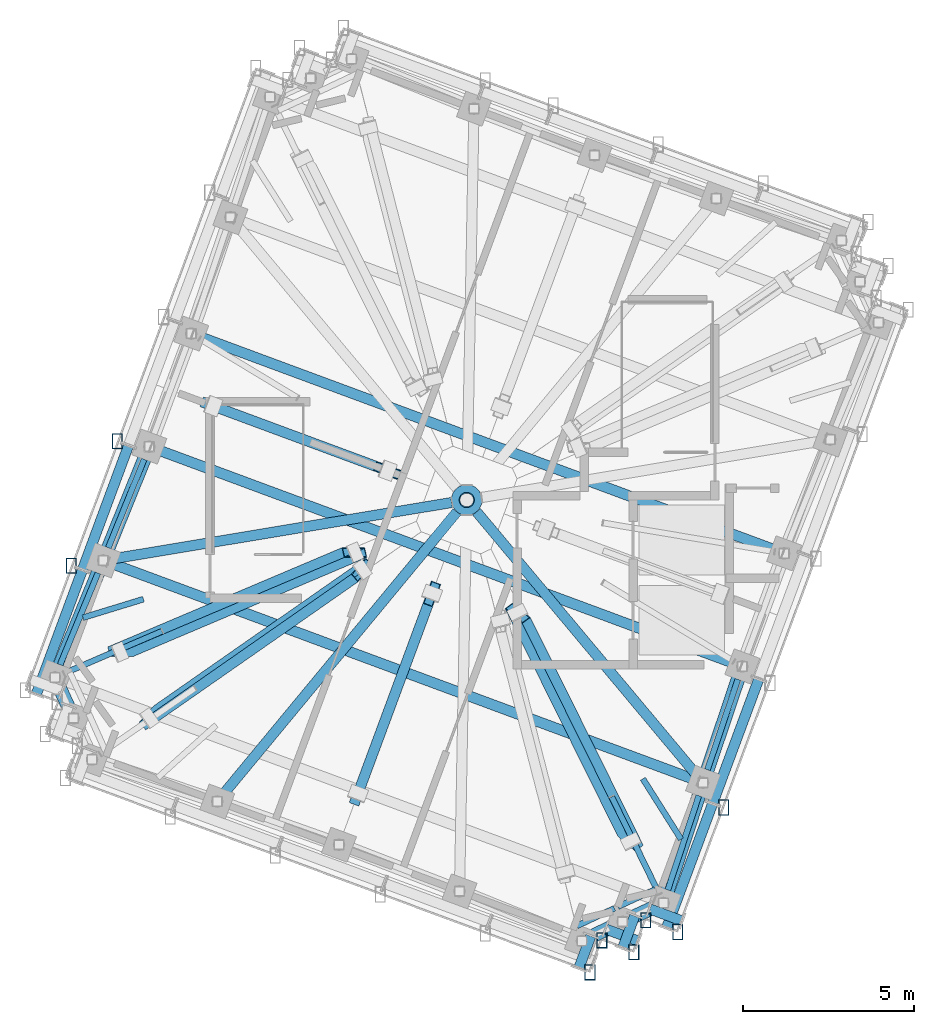
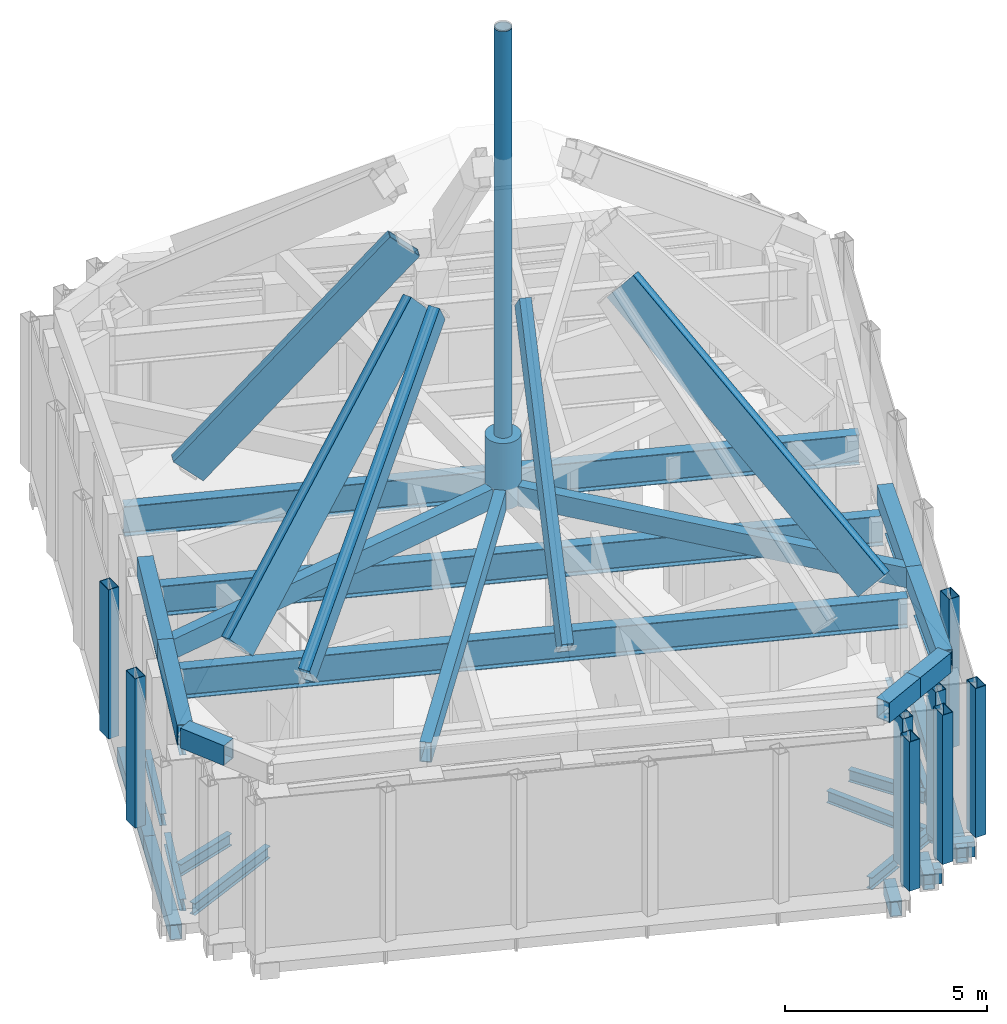
# One storey, part 2 of 14: 27 beams, 23 members, 13 elements without a shape of their own.
"""IFC4 building model written with IfcOpenShell, lengths in metres."""

from ifc_helpers import new_model, si_unit, direction, frame, origin, origin_2d, place, context, subcontext, project, spatial, hollow_rectangle, circle, hollow_circle, i_section, extrude, material, material_profile, profile_set, type_object, element, aggregate, save


model = new_model("IFC4")

# Units and contexts
model_context = context("Model", 3, precision=1e-05, world=origin(), true_north=direction((0.0, 1.0)))
body_context = subcontext(model_context, "Body", "Model", "MODEL_VIEW")
ifc_project = project(units=[si_unit("LENGTHUNIT", "METRE"), si_unit("AREAUNIT", "SQUARE_METRE"), si_unit("VOLUMEUNIT", "CUBIC_METRE"), si_unit("PLANEANGLEUNIT", "RADIAN"), si_unit("MASSUNIT", "GRAM", prefix="KILO")], contexts=[model_context])

# Site, building, storey
site_placement = place(None, origin())
site = spatial("IfcSite", under=ifc_project, at=site_placement, CompositionType="ELEMENT")
building_placement = place(site_placement, origin())
building = spatial("IfcBuilding", under=site, at=building_placement, Name="Cantera Rosa Tower", CompositionType="ELEMENT")
storey_placement = place(building_placement, frame((0.0, 0.0, 374.199951171875)))
storey = spatial("IfcBuildingStorey", under=building, at=storey_placement, Name="L84", CompositionType="ELEMENT", Elevation=374.199951171875)

# Curtain wall, member
ifc_material_1 = material(Name="Aluminium frame with clear glass", Category="aluminium")
curtain_wall_type = type_object("IfcCurtainWallType", Name="CW4 CROWN GLAZING", PredefinedType="NOTDEFINED", material=ifc_material_1)
curtain_wall_1_placement = place(storey_placement, origin())
curtain_wall_1 = element("IfcCurtainWall", 1, at=curtain_wall_1_placement, inside=storey, type_object=curtain_wall_type, Name="CW4 L84-13", PredefinedType="NOTDEFINED")
ifc_material_2 = material(Name="Steel S355J2 (EN 10025-2)", Category="steel")
ifc_material_profile_1 = material_profile(ifc_material_2, hollow_rectangle(XDim=0.300048828125, YDim=0.449951171875, WallThickness=0.01611328125, at=origin_2d()), Name="CROWN FRAME MULLION RHS 300x450x16")
ifc_profile_set_1 = profile_set([ifc_material_profile_1], Name="Steel S355J2 (EN 10025-2)")
member_type_1 = type_object("IfcMemberType", Name="CROWN FRAME MULLION RHS 300x450x16", PredefinedType="MULLION", material=ifc_profile_set_1)
member_1_placement = place(storey_placement, frame((-10.240234375, 1.720458984375, 0.0), z_axis=(0.0, 0.0, 1.0), x_axis=(1.0, 0.0, 0.0)))
member_1 = element("IfcMember", 2, at=member_1_placement, type_object=member_type_1, Name="CROWN FRAME rib L84-13", PredefinedType="MULLION", context=body_context, shape_type="SweptSolid", body=[
    extrude(hollow_rectangle(XDim=0.300048828125, YDim=0.449951171875, WallThickness=0.01611328125, at=origin_2d()), origin(), (0.0, 0.0, 1.0), 4.5),
])

curtain_wall_2_placement = place(storey_placement, origin())
curtain_wall_2 = element("IfcCurtainWall", 3, at=curtain_wall_2_placement, inside=storey, type_object=curtain_wall_type, Name="CW4 L84-14", PredefinedType="NOTDEFINED")
member_2_placement = place(storey_placement, frame((-11.592041015625, -1.927001953125, 0.0), z_axis=(0.0, 0.0, 1.0), x_axis=(1.0, 0.0, 0.0)))
member_2 = element("IfcMember", 4, at=member_2_placement, type_object=member_type_1, Name="CROWN FRAME rib L84-14", PredefinedType="MULLION", context=body_context, shape_type="SweptSolid", body=[
    extrude(hollow_rectangle(XDim=0.300048828125, YDim=0.449951171875, WallThickness=0.01611328125, at=origin_2d()), origin(), (0.0, 0.0, 1.0), 4.5),
])

curtain_wall_3_placement = place(storey_placement, origin())
curtain_wall_3 = element("IfcCurtainWall", 5, at=curtain_wall_3_placement, inside=storey, type_object=curtain_wall_type, Name="CW4 L84-24", PredefinedType="NOTDEFINED")
member_3_placement = place(storey_placement, frame((3.61474609375, -13.84375, 0.0), z_axis=(0.0, 0.0, 1.0), x_axis=(1.0, 0.0, 0.0)))
member_3 = element("IfcMember", 6, at=member_3_placement, type_object=member_type_1, Name="CROWN FRAME rib L84-24", PredefinedType="MULLION", context=body_context, shape_type="SweptSolid", body=[
    extrude(hollow_rectangle(XDim=0.300048828125, YDim=0.449951171875, WallThickness=0.01611328125, at=origin_2d()), origin(), (0.0, 0.0, 1.0), 4.5),
])

curtain_wall_4_placement = place(storey_placement, origin())
curtain_wall_4 = element("IfcCurtainWall", 7, at=curtain_wall_4_placement, inside=storey, type_object=curtain_wall_type, Name="CW4 L84-25", PredefinedType="NOTDEFINED")
member_4_placement = place(storey_placement, frame((3.96240234375, -12.906005859375, 0.0), z_axis=(0.0, 0.0, 1.0), x_axis=(1.0, 0.0, 0.0)))
member_4 = element("IfcMember", 8, at=member_4_placement, type_object=member_type_1, Name="CROWN FRAME rib L84-25", PredefinedType="MULLION", context=body_context, shape_type="SweptSolid", body=[
    extrude(hollow_rectangle(XDim=0.300048828125, YDim=0.449951171875, WallThickness=0.01611328125, at=origin_2d()), origin(), (0.0, 0.0, 1.0), 4.5),
])

curtain_wall_5_placement = place(storey_placement, origin())
curtain_wall_5 = element("IfcCurtainWall", 9, at=curtain_wall_5_placement, inside=storey, type_object=curtain_wall_type, Name="CW4 L84-26", PredefinedType="NOTDEFINED")
member_5_placement = place(storey_placement, frame((4.89990234375, -13.25341796875, 0.0), z_axis=(0.0, 0.0, 1.0), x_axis=(1.0, 0.0, 0.0)))
member_5 = element("IfcMember", 10, at=member_5_placement, type_object=member_type_1, Name="CROWN FRAME rib L84-26", PredefinedType="MULLION", context=body_context, shape_type="SweptSolid", body=[
    extrude(hollow_rectangle(XDim=0.300048828125, YDim=0.449951171875, WallThickness=0.01611328125, at=origin_2d()), origin(), (0.0, 0.0, 1.0), 4.5),
])

curtain_wall_6_placement = place(storey_placement, origin())
curtain_wall_6 = element("IfcCurtainWall", 11, at=curtain_wall_6_placement, inside=storey, type_object=curtain_wall_type, Name="CW4 L84-27", PredefinedType="NOTDEFINED")
member_6_placement = place(storey_placement, frame((5.24755859375, -12.31591796875, 0.0), z_axis=(0.0, 0.0, 1.0), x_axis=(1.0, 0.0, 0.0)))
member_6 = element("IfcMember", 12, at=member_6_placement, type_object=member_type_1, Name="CROWN FRAME rib L84-27", PredefinedType="MULLION", context=body_context, shape_type="SweptSolid", body=[
    extrude(hollow_rectangle(XDim=0.300048828125, YDim=0.449951171875, WallThickness=0.01611328125, at=origin_2d()), origin(), (0.0, 0.0, 1.0), 4.5),
])

curtain_wall_7_placement = place(storey_placement, origin())
curtain_wall_7 = element("IfcCurtainWall", 13, at=curtain_wall_7_placement, inside=storey, type_object=curtain_wall_type, Name="CW4 L84-28", PredefinedType="NOTDEFINED")
member_7_placement = place(storey_placement, frame((6.18505859375, -12.663330078125, 0.0), z_axis=(0.0, 0.0, 1.0), x_axis=(1.0, 0.0, 0.0)))
member_7 = element("IfcMember", 14, at=member_7_placement, type_object=member_type_1, Name="CROWN FRAME rib L84-28", PredefinedType="MULLION", context=body_context, shape_type="SweptSolid", body=[
    extrude(hollow_rectangle(XDim=0.300048828125, YDim=0.449951171875, WallThickness=0.01611328125, at=origin_2d()), origin(), (0.0, 0.0, 1.0), 4.5),
])

curtain_wall_8_placement = place(storey_placement, origin())
curtain_wall_8 = element("IfcCurtainWall", 15, at=curtain_wall_8_placement, inside=storey, type_object=curtain_wall_type, Name="CW4 L84-29", PredefinedType="NOTDEFINED")
member_8_placement = place(storey_placement, frame((7.536865234375, -9.015625, 0.0), z_axis=(0.0, 0.0, 1.0), x_axis=(1.0, 0.0, 0.0)))
member_8 = element("IfcMember", 16, at=member_8_placement, type_object=member_type_1, Name="CROWN FRAME rib L84-29", PredefinedType="MULLION", context=body_context, shape_type="SweptSolid", body=[
    extrude(hollow_rectangle(XDim=0.300048828125, YDim=0.449951171875, WallThickness=0.01611328125, at=origin_2d()), origin(), (0.0, 0.0, 1.0), 4.5),
])

# Member
ifc_material_3 = material(Name="Steel S355J2 (EN 10025-2)", Category="steel")
ifc_material_profile_2 = material_profile(ifc_material_3, hollow_rectangle(XDim=0.300048828125, YDim=0.449951171875, WallThickness=0.01611328125, at=origin_2d()), Name="CROWN FRAME PURLIN RHS 300x450x16")
ifc_profile_set_2 = profile_set([ifc_material_profile_2], Name="Steel S355J2 (EN 10025-2)")
member_type_2 = type_object("IfcMemberType", Name="CROWN FRAME PURLIN RHS 300x450x16", PredefinedType="PURLIN", material=ifc_profile_set_2)
member_9_placement = place(storey_placement, frame((-9.912109375, 1.598876953125, -0.675048828125), z_axis=(-0.347441084572, -0.937701814412, 0.0), x_axis=(0.937701814412, -0.347441084572, 0.0)))
member_9 = element("IfcMember", 17, at=member_9_placement, type_object=member_type_2, Name="CROWN FRAME purlin L84-13", PredefinedType="PURLIN", context=body_context, shape_type="SweptSolid", body=[
    extrude(hollow_rectangle(XDim=0.300048828125, YDim=0.449951171875, WallThickness=0.01611328125, at=origin_2d()), origin(), (0.0, 0.0, 1.0), 3.89013671875),
])

aggregate(curtain_wall_1, [member_1, member_9])

member_10_placement = place(storey_placement, frame((-11.263671875, -2.048828125, -0.675048828125), z_axis=(-0.347516717491, -0.937673787126, 0.0), x_axis=(0.937673787126, -0.347516717491, 0.0)))
member_10 = element("IfcMember", 18, at=member_10_placement, type_object=member_type_2, Name="CROWN FRAME purlin L84-14", PredefinedType="PURLIN", context=body_context, shape_type="SweptSolid", body=[
    extrude(hollow_rectangle(XDim=0.300048828125, YDim=0.449951171875, WallThickness=0.01611328125, at=origin_2d()), origin(), (0.0, 0.0, 1.0), 3.889892578125),
])

aggregate(curtain_wall_2, [member_2, member_10])

member_11_placement = place(storey_placement, frame((3.28662109375, -13.72216796875, -0.675048828125), z_axis=(0.347401818267, 0.937716362588, 0.0), x_axis=(-0.937716362588, 0.347401818267, 0.0)))
member_11 = element("IfcMember", 19, at=member_11_placement, type_object=member_type_2, Name="CROWN FRAME purlin L84-24", PredefinedType="PURLIN", context=body_context, shape_type="SweptSolid", body=[
    extrude(hollow_rectangle(XDim=0.300048828125, YDim=0.449951171875, WallThickness=0.01611328125, at=origin_2d()), origin(), (0.0, 0.0, 1.0), 1.0),
])

aggregate(curtain_wall_3, [member_3, member_11])

member_12_placement = place(storey_placement, frame((4.083984375, -12.577880859375, -0.675048828125), z_axis=(0.937686888491, -0.347481365188, 0.0), x_axis=(0.347481365188, 0.937686888491, 0.0)))
member_12 = element("IfcMember", 20, at=member_12_placement, type_object=member_type_2, Name="CROWN FRAME purlin L84-25", PredefinedType="PURLIN", context=body_context, shape_type="SweptSolid", body=[
    extrude(hollow_rectangle(XDim=0.300048828125, YDim=0.449951171875, WallThickness=0.01611328125, at=origin_2d()), origin(), (0.0, 0.0, 1.0), 0.999755859375),
])

aggregate(curtain_wall_4, [member_4, member_12])

member_13_placement = place(storey_placement, frame((4.57177734375, -13.1318359375, -0.675048828125), z_axis=(0.347481365188, 0.937686888491, 0.0), x_axis=(-0.937686888491, 0.347481365188, 0.0)))
member_13 = element("IfcMember", 21, at=member_13_placement, type_object=member_type_2, Name="CROWN FRAME purlin L84-26", PredefinedType="PURLIN", context=body_context, shape_type="SweptSolid", body=[
    extrude(hollow_rectangle(XDim=0.300048828125, YDim=0.449951171875, WallThickness=0.01611328125, at=origin_2d()), origin(), (0.0, 0.0, 1.0), 0.999755859375),
])

aggregate(curtain_wall_5, [member_5, member_13])

member_14_placement = place(storey_placement, frame((5.369140625, -11.987548828125, -0.675048828125), z_axis=(0.937636814806, -0.347616460371, 0.0), x_axis=(0.347616460371, 0.937636814806, 0.0)))
member_14 = element("IfcMember", 22, at=member_14_placement, type_object=member_type_2, Name="CROWN FRAME purlin L84-27", PredefinedType="PURLIN", context=body_context, shape_type="SweptSolid", body=[
    extrude(hollow_rectangle(XDim=0.300048828125, YDim=0.449951171875, WallThickness=0.01611328125, at=origin_2d()), origin(), (0.0, 0.0, 1.0), 1.0),
])

aggregate(curtain_wall_6, [member_6, member_14])

member_15_placement = place(storey_placement, frame((5.85693359375, -12.541748046875, -0.675048828125), z_axis=(0.347496266948, 0.937681366167, 0.0), x_axis=(-0.937681366167, 0.347496266948, 0.0)))
member_15 = element("IfcMember", 23, at=member_15_placement, type_object=member_type_2, Name="CROWN FRAME purlin L84-28", PredefinedType="PURLIN", context=body_context, shape_type="SweptSolid", body=[
    extrude(hollow_rectangle(XDim=0.300048828125, YDim=0.449951171875, WallThickness=0.01611328125, at=origin_2d()), origin(), (0.0, 0.0, 1.0), 3.89013671875),
])

aggregate(curtain_wall_7, [member_7, member_15])

member_16_placement = place(storey_placement, frame((7.208740234375, -8.89404296875, -0.675048828125), z_axis=(0.347461532759, 0.937694237613, 0.0), x_axis=(-0.937694237613, 0.347461532759, 0.0)))
member_16 = element("IfcMember", 24, at=member_16_placement, type_object=member_type_2, Name="CROWN FRAME purlin L84-29", PredefinedType="PURLIN", context=body_context, shape_type="SweptSolid", body=[
    extrude(hollow_rectangle(XDim=0.300048828125, YDim=0.449951171875, WallThickness=0.01611328125, at=origin_2d()), origin(), (0.0, 0.0, 1.0), 3.889892578125),
])

aggregate(curtain_wall_8, [member_8, member_16])

# Curtain wall, member
curtain_wall_9_placement = place(storey_placement, origin())
curtain_wall_9 = element("IfcCurtainWall", 25, at=curtain_wall_9_placement, inside=storey, type_object=curtain_wall_type, Name="CW4 L84-01", PredefinedType="NOTDEFINED")
ifc_material_4 = material(Name="Steel S355J2 (EN 10025-2)", Category="steel")
ifc_material_profile_3 = material_profile(ifc_material_4, hollow_rectangle(XDim=0.300048828125, YDim=1.0, WallThickness=0.02490234375, at=origin_2d()), Name="CROWN HIP RAFTER RHS 300x1000x25")
ifc_profile_set_3 = profile_set([ifc_material_profile_3], Name="Steel S355J2 (EN 10025-2)")
member_type_3 = type_object("IfcMemberType", Name="CROWN HIP RAFTER RHS 300x1000x25", PredefinedType="RAFTER", material=ifc_profile_set_3)
member_17_placement = place(storey_placement, frame((-9.28955078125, -6.385986328125, 6.3212890625), z_axis=(0.637150781538, 0.444401597617, 0.629719065632), x_axis=(0.641892340594, -0.758215272335, -0.114384543904)))
member_17 = element("IfcMember", 26, at=member_17_placement, type_object=member_type_3, Name="CROWN FRAME rib L84-01", PredefinedType="RAFTER", context=body_context, shape_type="SweptSolid", body=[
    extrude(hollow_rectangle(XDim=0.300048828125, YDim=1.0, WallThickness=0.02490234375, at=origin_2d()), origin(), (0.0, 0.0, 1.0), 9.7568359375),
])
aggregate(curtain_wall_9, [member_17])

curtain_wall_10_placement = place(storey_placement, origin())
curtain_wall_10 = element("IfcCurtainWall", 27, at=curtain_wall_10_placement, inside=storey, type_object=curtain_wall_type, Name="CW4 L84-02", PredefinedType="NOTDEFINED")
member_18_placement = place(storey_placement, frame((-3.18310546875, -8.58984375, 6.3505859375), z_axis=(0.247322165578, 0.667415373356, 0.702416162842), x_axis=(0.937688671948, -0.347476552448, 0.0)))
member_18 = element("IfcMember", 28, at=member_18_placement, type_object=member_type_3, Name="CROWN FRAME rib L84-02", PredefinedType="RAFTER", context=body_context, shape_type="SweptSolid", body=[
    extrude(hollow_rectangle(XDim=0.300048828125, YDim=1.0, WallThickness=0.02490234375, at=origin_2d()), origin(), (0.0, 0.0, 1.0), 8.7470703125),
])
aggregate(curtain_wall_10, [member_18])

curtain_wall_11_placement = place(storey_placement, origin())
curtain_wall_11 = element("IfcCurtainWall", 29, at=curtain_wall_11_placement, inside=storey, type_object=curtain_wall_type, Name="CW4 L84-04", PredefinedType="NOTDEFINED")
member_19_placement = place(storey_placement, frame((4.802978515625, -9.9912109375, 6.333251953125), z_axis=(-0.342749623416, 0.691337692597, 0.636062017764), x_axis=(0.792066043605, 0.576729857071, -0.200035133241)))
member_19 = element("IfcMember", 30, at=member_19_placement, type_object=member_type_3, Name="CROWN FRAME rib L84-04", PredefinedType="RAFTER", context=body_context, shape_type="SweptSolid", body=[
    extrude(hollow_rectangle(XDim=0.300048828125, YDim=1.0, WallThickness=0.02490234375, at=origin_2d()), origin(), (0.0, 0.0, 1.0), 9.659423828125),
])
aggregate(curtain_wall_11, [member_19])

curtain_wall_12_placement = place(storey_placement, origin())
curtain_wall_12 = element("IfcCurtainWall", 31, at=curtain_wall_12_placement, inside=storey, type_object=curtain_wall_type, Name="CW4 L84-11", PredefinedType="NOTDEFINED")
member_20_placement = place(storey_placement, frame((-7.417724609375, 2.748779296875, 6.37646484375), z_axis=(0.620635939149, -0.229983206286, 0.749612403755), x_axis=(-0.347471184269, -0.937690661201, 1.2e-11)))
member_20 = element("IfcMember", 32, at=member_20_placement, type_object=member_type_3, Name="CROWN FRAME rib L84-11", PredefinedType="RAFTER", context=body_context, shape_type="SweptSolid", body=[
    extrude(hollow_rectangle(XDim=0.300048828125, YDim=1.0, WallThickness=0.02490234375, at=origin_2d()), origin(), (0.0, 0.0, 1.0), 8.1962890625),
])
aggregate(curtain_wall_12, [member_20])

curtain_wall_13_placement = place(storey_placement, origin())
curtain_wall_13 = element("IfcCurtainWall", 33, at=curtain_wall_13_placement, inside=storey, type_object=curtain_wall_type, Name="CW4 L84-12", PredefinedType="NOTDEFINED")
member_21_placement = place(storey_placement, frame((-10.154052734375, -4.44873046875, 6.333251953125), z_axis=(0.710487546272, 0.301068181537, 0.636054554782), x_axis=(0.225007431525, -0.953602099005, 0.200036727957)))
member_21 = element("IfcMember", 34, at=member_21_placement, type_object=member_type_3, Name="CROWN FRAME rib L84-12", PredefinedType="RAFTER", context=body_context, shape_type="SweptSolid", body=[
    extrude(hollow_rectangle(XDim=0.300048828125, YDim=1.0, WallThickness=0.02490234375, at=origin_2d()), origin(), (0.0, 0.0, 1.0), 9.65966796875),
])
aggregate(curtain_wall_13, [member_21])

# Beams
ifc_material_5 = material(Name="Steel S355J2 (EN 10025-2)", Category="steel")
ifc_material_profile_4 = material_profile(ifc_material_5, hollow_rectangle(XDim=0.39990234375, YDim=0.60009765625, WallThickness=0.02490234375, at=origin_2d()), Name="CROWN RING BOX 400x600x25")
ifc_profile_set_4 = profile_set([ifc_material_profile_4], Name="Steel S355J2 (EN 10025-2)")
beam_type_1 = type_object("IfcBeamType", Name="CROWN RING BOX 400x600x25", PredefinedType="BEAM", material=ifc_profile_set_4)
beam_1_placement = place(storey_placement, frame((-10.65478515625, -1.771240234375, 4.800048828125), z_axis=(-0.381865284595, -0.924217996158, 0.0), x_axis=(0.924217996158, -0.381865284595, 0.0)))
element("IfcBeam", 35, at=beam_1_placement, inside=storey, type_object=beam_type_1, Name="CROWN RING RR-01", PredefinedType="BEAM", context=body_context, shape_type="SweptSolid", body=[
    extrude(hollow_rectangle(XDim=0.39990234375, YDim=0.60009765625, WallThickness=0.02490234375, at=origin_2d()), origin(), (0.0, 0.0, 1.0), 3.708740234375),
])
beam_2_placement = place(storey_placement, frame((-12.071044921875, -5.198974609375, 4.800048828125), z_axis=(0.415545404784, -0.909572436128, 0.0), x_axis=(0.909572436128, 0.415545404784, 0.0)))
element("IfcBeam", 36, at=beam_2_placement, inside=storey, type_object=beam_type_1, Name="CROWN RING RR-02", PredefinedType="BEAM", context=body_context, shape_type="SweptSolid", body=[
    extrude(hollow_rectangle(XDim=0.39990234375, YDim=0.60009765625, WallThickness=0.02490234375, at=origin_2d()), origin(), (0.0, 0.0, 1.0), 1.319091796875),
])
beam_3_placement = place(storey_placement, frame((3.374755859375, -12.924560546875, 4.800048828125), z_axis=(0.905027969585, 0.425352059205, 0.0), x_axis=(-0.425352059205, 0.905027969585, 0.0)))
element("IfcBeam", 37, at=beam_3_placement, inside=storey, type_object=beam_type_1, Name="CROWN RING RR-08", PredefinedType="BEAM", context=body_context, shape_type="SweptSolid", body=[
    extrude(hollow_rectangle(XDim=0.39990234375, YDim=0.60009765625, WallThickness=0.02490234375, at=origin_2d()), origin(), (0.0, 0.0, 1.0), 1.3212890625),
])
beam_4_placement = place(storey_placement, frame((4.570556640625, -12.362548828125, 4.800048828125), z_axis=(0.907981050678, 0.419011230888, 0.0), x_axis=(-0.419011230888, 0.907981050678, 0.0)))
element("IfcBeam", 38, at=beam_4_placement, inside=storey, type_object=beam_type_1, Name="CROWN RING RR-09", PredefinedType="BEAM", context=body_context, shape_type="SweptSolid", body=[
    extrude(hollow_rectangle(XDim=0.39990234375, YDim=0.60009765625, WallThickness=0.02490234375, at=origin_2d()), origin(), (0.0, 0.0, 1.0), 1.319091796875),
])
beam_5_placement = place(storey_placement, frame((5.768310546875, -11.809814453125, 4.800048828125), z_axis=(0.312552183355, 0.949900590946, 0.0), x_axis=(-0.949900590946, 0.312552183355, 0.0)))
element("IfcBeam", 39, at=beam_5_placement, inside=storey, type_object=beam_type_1, Name="CROWN RING RR-10", PredefinedType="BEAM", context=body_context, shape_type="SweptSolid", body=[
    extrude(hollow_rectangle(XDim=0.39990234375, YDim=0.60009765625, WallThickness=0.02490234375, at=origin_2d()), origin(), (0.0, 0.0, 1.0), 3.708740234375),
])
beam_6_placement = place(storey_placement, frame((6.927490234375, -8.286865234375, 4.800048828125), z_axis=(0.31905592816, 0.947735888687, 0.0), x_axis=(-0.947735888687, 0.31905592816, 0.0)))
element("IfcBeam", 40, at=beam_6_placement, inside=storey, type_object=beam_type_1, Name="CROWN RING RR-11", PredefinedType="BEAM", context=body_context, shape_type="SweptSolid", body=[
    extrude(hollow_rectangle(XDim=0.39990234375, YDim=0.60009765625, WallThickness=0.02490234375, at=origin_2d()), origin(), (0.0, 0.0, 1.0), 3.597900390625),
])
beam_7_placement = place(storey_placement, frame((-9.303466796875, 1.56298828125, 4.800048828125), z_axis=(-0.37561059524, -0.926777578896, 0.0), x_axis=(0.926777578896, -0.37561059524, 0.0)))
element("IfcBeam", 41, at=beam_7_placement, inside=storey, type_object=beam_type_1, Name="CROWN RING RR-26", PredefinedType="BEAM", context=body_context, shape_type="SweptSolid", body=[
    extrude(hollow_rectangle(XDim=0.39990234375, YDim=0.60009765625, WallThickness=0.02490234375, at=origin_2d()), origin(), (0.0, 0.0, 1.0), 3.59765625),
])
ifc_material_6 = material(Name="Steel S355J2 (EN 10025-2)", Category="steel")
ifc_material_profile_5 = material_profile(ifc_material_6, hollow_rectangle(XDim=0.300048828125, YDim=0.60009765625, WallThickness=0.02490234375, at=origin_2d()), Name="CROWN TIE BOX 300x600x25")
ifc_profile_set_5 = profile_set([ifc_material_profile_5], Name="Steel S355J2 (EN 10025-2)")
beam_type_2 = type_object("IfcBeamType", Name="CROWN TIE BOX 300x600x25", PredefinedType="BEAM", material=ifc_profile_set_5)
beam_8_placement = place(storey_placement, frame((-10.65478515625, -1.771240234375, 4.800048828125), z_axis=(0.986461411254, 0.163993548978, 0.0), x_axis=(-0.163993548978, 0.986461411254, 0.0)))
element("IfcBeam", 42, at=beam_8_placement, inside=storey, type_object=beam_type_2, Name="CROWN TIE 01B", PredefinedType="BEAM", context=body_context, shape_type="SweptSolid", body=[
    extrude(hollow_rectangle(XDim=0.300048828125, YDim=0.60009765625, WallThickness=0.02490234375, at=origin_2d()), origin(), (0.0, 0.0, 1.0), 10.35107421875),
])
beam_9_placement = place(storey_placement, frame((-7.31298828125, -8.837890625, 4.800048828125), z_axis=(0.637509229333, 0.770442718517, 0.0), x_axis=(-0.770442718517, 0.637509229333, 0.0)))
element("IfcBeam", 43, at=beam_9_placement, inside=storey, type_object=beam_type_2, Name="CROWN TIE 02B", PredefinedType="BEAM", context=body_context, shape_type="SweptSolid", body=[
    extrude(hollow_rectangle(XDim=0.300048828125, YDim=0.60009765625, WallThickness=0.02490234375, at=origin_2d()), origin(), (0.0, 0.0, 1.0), 11.021240234375),
])
beam_10_placement = place(storey_placement, frame((6.927490234375, -8.286865234375, 4.800048828125), z_axis=(-0.641373757168, 0.767228586287, 0.0), x_axis=(-0.767228586287, -0.641373757168, 0.0)))
element("IfcBeam", 44, at=beam_10_placement, inside=storey, type_object=beam_type_2, Name="CROWN TIE 04B", PredefinedType="BEAM", context=body_context, shape_type="SweptSolid", body=[
    extrude(hollow_rectangle(XDim=0.300048828125, YDim=0.60009765625, WallThickness=0.02490234375, at=origin_2d()), origin(), (0.0, 0.0, 1.0), 10.35107421875),
])

# Members
ifc_material_7 = material(Name="Steel S355J2 (EN 10025-2)", Category="steel")
ifc_material_profile_6 = material_profile(ifc_material_7, circle(Radius=0.449951171875, at=origin_2d()), Name="CROWN TIE HUB 900")
ifc_profile_set_6 = profile_set([ifc_material_profile_6], Name="Steel S355J2 (EN 10025-2)")
member_type_4 = type_object("IfcMemberType", Name="CROWN TIE HUB 900", PredefinedType="USERDEFINED", material=ifc_profile_set_6)
member_22_placement = place(storey_placement, frame((0.0, 0.0, 4.5), z_axis=(0.0, 0.0, 1.0), x_axis=(1.0, 0.0, 0.0)))
element("IfcMember", 45, at=member_22_placement, inside=storey, type_object=member_type_4, Name="CROWN TIE HUB", ObjectType="TIE HUB", PredefinedType="USERDEFINED", context=body_context, shape_type="SweptSolid", body=[
    extrude(circle(Radius=0.449951171875, at=origin_2d()), origin(), (0.0, 0.0, 1.0), 2.0),
])
ifc_material_8 = material(Name="Steel S355J2 (EN 10025-2)", Category="steel")
ifc_material_profile_7 = material_profile(ifc_material_8, hollow_circle(Radius=0.22509765625, WallThickness=0.030029296875, at=origin_2d()), Name="SPIRE CHS 450x30")
ifc_profile_set_7 = profile_set([ifc_material_profile_7], Name="Steel S355J2 (EN 10025-2)")
member_type_5 = type_object("IfcMemberType", Name="SPIRE CHS 450x30", PredefinedType="USERDEFINED", material=ifc_profile_set_7)
member_23_placement = place(storey_placement, frame((0.0, 0.0, 6.5), z_axis=(0.0, 0.0, 1.0), x_axis=(1.0, 0.0, 0.0)))
element("IfcMember", 46, at=member_23_placement, inside=storey, type_object=member_type_5, Name="SPIRE", ObjectType="SPIRE", PredefinedType="USERDEFINED", context=body_context, shape_type="SweptSolid", body=[
    extrude(hollow_circle(Radius=0.22509765625, WallThickness=0.030029296875, at=origin_2d()), origin(), (0.0, 0.0, 1.0), 12.260009765625),
])

# Beams
ifc_material_9 = material(Name="Steel ASTM A992 (Fy 345 MPa)", Category="steel")
ifc_material_profile_8 = material_profile(ifc_material_9, i_section(OverallWidth=0.1708984375, OverallDepth=0.35595703125, WebThickness=0.00732421875, FlangeThickness=0.01171875, FilletRadius=0.010009765625, at=origin_2d()), Name="W360X51")
ifc_profile_set_8 = profile_set([ifc_material_profile_8], Name="Steel ASTM A992 (Fy 345 MPa)")
beam_type_3 = type_object("IfcBeamType", Name="STEEL BEAM W360X51", PredefinedType="BEAM", material=ifc_profile_set_8)
beam_11_placement = place(storey_placement, frame((-11.795654296875, -5.080322265625, -0.6279296875), z_axis=(0.918442818511, 0.395553775264, 0.0), x_axis=(-0.395553775264, 0.918442818511, 0.0)))
element("IfcBeam", 47, at=beam_11_placement, inside=storey, type_object=beam_type_3, Name="CG-Z6-04 L84", PredefinedType="BEAM", context=body_context, shape_type="SweptSolid", body=[
    extrude(i_section(OverallWidth=0.1708984375, OverallDepth=0.35595703125, WebThickness=0.00732421875, FlangeThickness=0.01171875, FilletRadius=0.010009765625, at=origin_2d()), origin(), (0.0, 0.0, 1.0), 3.117431640625),
])
beam_12_placement = place(storey_placement, frame((5.636474609375, -11.5400390625, -0.6279296875), z_axis=(-0.438851254222, 0.898559723484, 0.0), x_axis=(-0.898559723484, -0.438851254222, 0.0)))
element("IfcBeam", 48, at=beam_12_placement, inside=storey, type_object=beam_type_3, Name="CG-Z6-06 L84", PredefinedType="BEAM", context=body_context, shape_type="SweptSolid", body=[
    extrude(i_section(OverallWidth=0.1708984375, OverallDepth=0.35595703125, WebThickness=0.00732421875, FlangeThickness=0.01171875, FilletRadius=0.010009765625, at=origin_2d()), origin(), (0.0, 0.0, 1.0), 3.160400390625),
])
beam_13_placement = place(storey_placement, frame((-11.248291015625, -3.449951171875, -0.6279296875), z_axis=(0.95604338139, 0.293225259655, 0.0), x_axis=(-0.293225259655, 0.95604338139, 0.0)))
element("IfcBeam", 49, at=beam_13_placement, inside=storey, type_object=beam_type_3, Name="CB-Z6-03 L84", PredefinedType="BEAM", context=body_context, shape_type="SweptSolid", body=[
    extrude(i_section(OverallWidth=0.1708984375, OverallDepth=0.35595703125, WebThickness=0.00732421875, FlangeThickness=0.01171875, FilletRadius=0.010009765625, at=origin_2d()), origin(), (0.0, 0.0, 1.0), 1.854248046875),
])
beam_14_placement = place(storey_placement, frame((6.28369140625, -9.94677734375, -0.6279296875), z_axis=(-0.534019254939, 0.845472314954, 0.0), x_axis=(-0.845472314954, -0.534019254939, 0.0)))
element("IfcBeam", 50, at=beam_14_placement, inside=storey, type_object=beam_type_3, Name="CB-Z6-05 L84", PredefinedType="BEAM", context=body_context, shape_type="SweptSolid", body=[
    extrude(i_section(OverallWidth=0.1708984375, OverallDepth=0.35595703125, WebThickness=0.00732421875, FlangeThickness=0.01171875, FilletRadius=0.010009765625, at=origin_2d()), origin(), (0.0, 0.0, 1.0), 2.098388671875),
])
ifc_material_10 = material(Name="Steel ASTM A992 (Fy 345 MPa)", Category="steel")
ifc_material_profile_9 = material_profile(ifc_material_10, i_section(OverallWidth=0.304931640625, OverallDepth=0.904052734375, WebThickness=0.01513671875, FlangeThickness=0.02001953125, FilletRadius=0.01904296875, at=origin_2d()), Name="W920X201")
ifc_profile_set_9 = profile_set([ifc_material_profile_9], Name="Steel ASTM A992 (Fy 345 MPa)")
beam_type_4 = type_object("IfcBeamType", Name="STEEL BEAM W920X201", PredefinedType="BEAM", material=ifc_profile_set_9)
for number, where, z_axis, x_axis, name in (
    (51, (6.77490234375, -8.22998046875, 3.798095703125), (-0.937686728837, 0.347481796018, 0.0), (-0.347481796018, -0.937686728837, 0.0), "RG-Z6-02 L84"),
    (52, (8.0244140625, -4.858154296875, 3.798095703125), (-0.937686728837, 0.347481796018, 0.0), (-0.347481796018, -0.937686728837, 0.0), "RG-Z6-03 L84"),
    (53, (9.25244140625, -1.544189453125, 3.798095703125), (-0.937686728837, 0.347481796018, 0.0), (-0.347481796018, -0.937686728837, 0.0), "RG-Z6-04 L84"),
):
    element("IfcBeam", number, at=place(storey_placement, frame(where, z_axis=z_axis, x_axis=x_axis)), inside=storey, type_object=beam_type_4, Name=name, PredefinedType="BEAM", context=body_context, shape_type="SweptSolid", body=[
        extrude(i_section(OverallWidth=0.304931640625, OverallDepth=0.904052734375, WebThickness=0.01513671875, FlangeThickness=0.02001953125, FilletRadius=0.01904296875, at=origin_2d()), origin(), (0.0, 0.0, 1.0), 18.425048828125),
    ])
ifc_material_11 = material(Name="Steel ASTM A992 (Fy 345 MPa)", Category="steel")
ifc_material_profile_10 = material_profile(ifc_material_11, i_section(OverallWidth=0.1708984375, OverallDepth=0.35595703125, WebThickness=0.00732421875, FlangeThickness=0.01171875, FilletRadius=0.010009765625, at=origin_2d()), Name="W360X51")
ifc_profile_set_10 = profile_set([ifc_material_profile_10], Name="Steel ASTM A992 (Fy 345 MPa)")
beam_type_5 = type_object("IfcBeamType", Name="STEEL SPANDREL BEAM W360X51", PredefinedType="SPANDREL", material=ifc_profile_set_10)
beam_15_placement = place(storey_placement, frame((-9.45361328125, 1.192138671875, -0.6279296875), z_axis=(-0.375630152043, -0.926769652544, 0.0), x_axis=(0.926769652544, -0.375630152043, 0.0)))
element("IfcBeam", 54, at=beam_15_placement, inside=storey, type_object=beam_type_5, Name="CEB-Z6-10 L84", PredefinedType="SPANDREL", context=body_context, shape_type="SweptSolid", body=[
    extrude(i_section(OverallWidth=0.1708984375, OverallDepth=0.35595703125, WebThickness=0.00732421875, FlangeThickness=0.01171875, FilletRadius=0.010009765625, at=origin_2d()), origin(), (0.0, 0.0, 1.0), 2.79736328125),
])
beam_16_placement = place(storey_placement, frame((-10.8076171875, -2.141357421875, -0.6279296875), z_axis=(-0.381919181871, -0.924195725222, 0.0), x_axis=(0.924195725222, -0.381919181871, 0.0)))
element("IfcBeam", 55, at=beam_16_placement, inside=storey, type_object=beam_type_5, Name="CEB-Z6-11 L84", PredefinedType="SPANDREL", context=body_context, shape_type="SweptSolid", body=[
    extrude(i_section(OverallWidth=0.1708984375, OverallDepth=0.35595703125, WebThickness=0.00732421875, FlangeThickness=0.01171875, FilletRadius=0.010009765625, at=origin_2d()), origin(), (0.0, 0.0, 1.0), 2.907958984375),
])
beam_17_placement = place(storey_placement, frame((3.232421875, -12.483154296875, -0.6279296875), z_axis=(0.905019817675, 0.425369403714, 0.0), x_axis=(-0.425369403714, 0.905019817675, 0.0)))
element("IfcBeam", 56, at=beam_17_placement, inside=storey, type_object=beam_type_5, Name="CEB-Z6-18 L84", PredefinedType="SPANDREL", context=body_context, shape_type="SweptSolid", body=[
    extrude(i_section(OverallWidth=0.1708984375, OverallDepth=0.35595703125, WebThickness=0.00732421875, FlangeThickness=0.01171875, FilletRadius=0.010009765625, at=origin_2d()), origin(), (0.0, 0.0, 1.0), 1.2099609375),
])
beam_18_placement = place(storey_placement, frame((4.428955078125, -11.921142578125, -0.6279296875), z_axis=(0.907941632249, 0.419096638533, 0.0), x_axis=(-0.419096638533, 0.907941632249, 0.0)))
element("IfcBeam", 57, at=beam_18_placement, inside=storey, type_object=beam_type_5, Name="CEB-Z6-19 L84", PredefinedType="SPANDREL", context=body_context, shape_type="SweptSolid", body=[
    extrude(i_section(OverallWidth=0.1708984375, OverallDepth=0.35595703125, WebThickness=0.00732421875, FlangeThickness=0.01171875, FilletRadius=0.010009765625, at=origin_2d()), origin(), (0.0, 0.0, 1.0), 1.20751953125),
])
beam_19_placement = place(storey_placement, frame((5.893310546875, -11.429443359375, -0.6279296875), z_axis=(0.312624098096, 0.949876925338, 0.0), x_axis=(-0.949876925338, 0.312624098096, 0.0)))
element("IfcBeam", 58, at=beam_19_placement, inside=storey, type_object=beam_type_5, Name="CEB-Z6-20 L84", PredefinedType="SPANDREL", context=body_context, shape_type="SweptSolid", body=[
    extrude(i_section(OverallWidth=0.1708984375, OverallDepth=0.35595703125, WebThickness=0.00732421875, FlangeThickness=0.01171875, FilletRadius=0.010009765625, at=origin_2d()), origin(), (0.0, 0.0, 1.0), 2.908203125),
])
for number, where, z_axis, x_axis, name in (
    (59, (7.05517578125, -7.907470703125, -0.6279296875), (0.319080253129, 0.947727699323, 0.0), (-0.947727699323, 0.319080253129, 0.0), "CEB-Z6-21 L84"),
    (60, (-9.45361328125, 1.192138671875, 4.072021484375), (-0.375630152043, -0.926769652544, 0.0), (0.926769652544, -0.375630152043, 0.0), "RB-Z6-10 L84"),
):
    element("IfcBeam", number, at=place(storey_placement, frame(where, z_axis=z_axis, x_axis=x_axis)), inside=storey, type_object=beam_type_5, Name=name, PredefinedType="SPANDREL", context=body_context, shape_type="SweptSolid", body=[
        extrude(i_section(OverallWidth=0.1708984375, OverallDepth=0.35595703125, WebThickness=0.00732421875, FlangeThickness=0.01171875, FilletRadius=0.010009765625, at=origin_2d()), origin(), (0.0, 0.0, 1.0), 2.79736328125),
    ])
beam_20_placement = place(storey_placement, frame((-10.8076171875, -2.141357421875, 4.072021484375), z_axis=(-0.381919181871, -0.924195725222, 0.0), x_axis=(0.924195725222, -0.381919181871, 0.0)))
element("IfcBeam", 61, at=beam_20_placement, inside=storey, type_object=beam_type_5, Name="RB-Z6-11 L84", PredefinedType="SPANDREL", context=body_context, shape_type="SweptSolid", body=[
    extrude(i_section(OverallWidth=0.1708984375, OverallDepth=0.35595703125, WebThickness=0.00732421875, FlangeThickness=0.01171875, FilletRadius=0.010009765625, at=origin_2d()), origin(), (0.0, 0.0, 1.0), 2.907958984375),
])
beam_21_placement = place(storey_placement, frame((5.893310546875, -11.429443359375, 4.072021484375), z_axis=(0.312624098096, 0.949876925338, 0.0), x_axis=(-0.949876925338, 0.312624098096, 0.0)))
element("IfcBeam", 62, at=beam_21_placement, inside=storey, type_object=beam_type_5, Name="RB-Z6-20 L84", PredefinedType="SPANDREL", context=body_context, shape_type="SweptSolid", body=[
    extrude(i_section(OverallWidth=0.1708984375, OverallDepth=0.35595703125, WebThickness=0.00732421875, FlangeThickness=0.01171875, FilletRadius=0.010009765625, at=origin_2d()), origin(), (0.0, 0.0, 1.0), 2.908203125),
])
beam_22_placement = place(storey_placement, frame((7.05517578125, -7.907470703125, 4.072021484375), z_axis=(0.319080253129, 0.947727699323, 0.0), x_axis=(-0.947727699323, 0.319080253129, 0.0)))
element("IfcBeam", 63, at=beam_22_placement, inside=storey, type_object=beam_type_5, Name="RB-Z6-21 L84", PredefinedType="SPANDREL", context=body_context, shape_type="SweptSolid", body=[
    extrude(i_section(OverallWidth=0.1708984375, OverallDepth=0.35595703125, WebThickness=0.00732421875, FlangeThickness=0.01171875, FilletRadius=0.010009765625, at=origin_2d()), origin(), (0.0, 0.0, 1.0), 2.79736328125),
])

save(model, "model.ifc")
